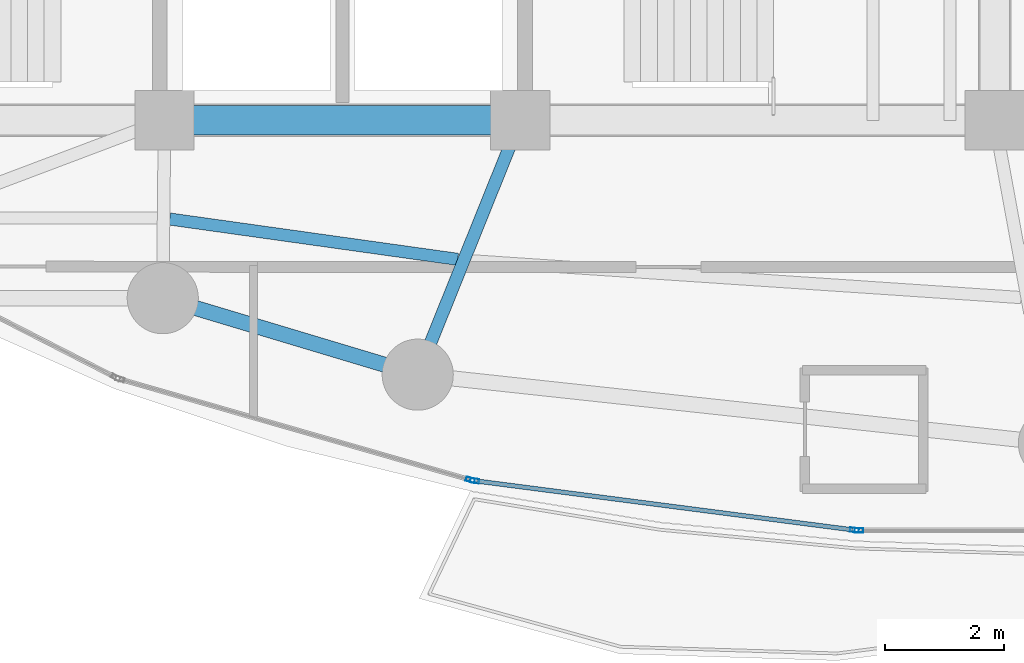
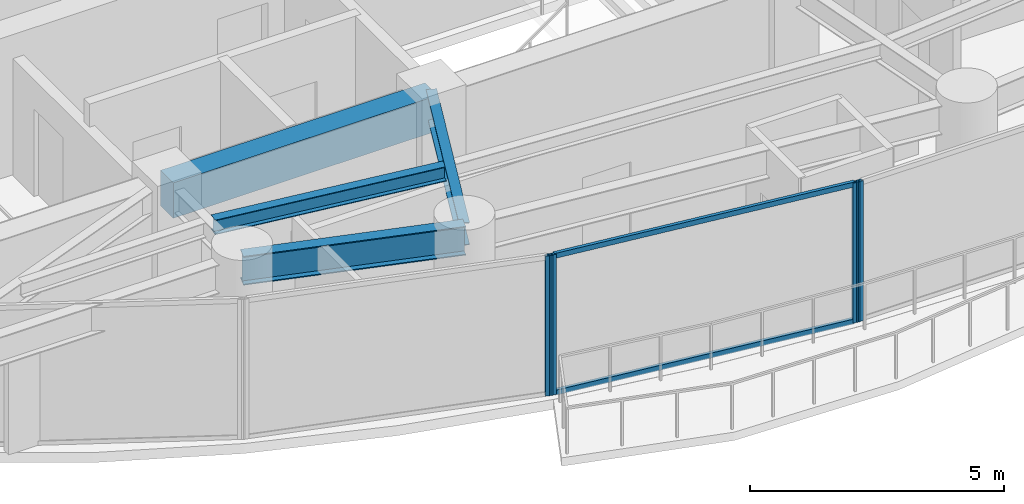
# One storey, part 5 of 28: 6 members, 4 beams, 3 elements without a shape of their own.
"""IFC4 building model written with IfcOpenShell, lengths in metres."""

from ifc_helpers import new_model, si_unit, direction, frame, origin, origin_2d, place, context, subcontext, project, spatial, rectangle, hollow_rectangle, i_section, extrude, material, layer, layer_set, material_profile, profile_set, type_object, element, aggregate, save


model = new_model("IFC4")

# Units and contexts
model_context = context("Model", 3, precision=1e-05, world=origin(), true_north=direction((0.0, 1.0)))
body_context = subcontext(model_context, "Body", "Model", "MODEL_VIEW")
ifc_project = project(units=[si_unit("LENGTHUNIT", "METRE"), si_unit("AREAUNIT", "SQUARE_METRE"), si_unit("VOLUMEUNIT", "CUBIC_METRE"), si_unit("PLANEANGLEUNIT", "RADIAN"), si_unit("MASSUNIT", "GRAM", prefix="KILO")], contexts=[model_context])

# Site, building, storey
site_placement = place(None, origin())
site = spatial("IfcSite", under=ifc_project, at=site_placement, CompositionType="ELEMENT")
building_placement = place(site_placement, origin())
building = spatial("IfcBuilding", under=site, at=building_placement, Name="Kazevale Care Tower and Concert Hall", CompositionType="ELEMENT")
storey_placement = place(building_placement, frame((0.0, 0.0, 102.60009765625)))
storey = spatial("IfcBuildingStorey", under=building, at=storey_placement, Name="L26", CompositionType="ELEMENT", Elevation=102.60009765625)

# Curtain wall, member
ifc_material_1 = material(Name="Aluminium 6063-T6 and Low-E Glass", Category="aluminium")
ifc_layer = layer(ifc_material_1, 0.179931640625)
ifc_layer_set = layer_set([ifc_layer], Name="Aluminium 6063-T6 and Low-E Glass")
curtain_wall_type = type_object("IfcCurtainWallType", Name="Sheltered Concave Balcony Curtain Wall CW-5", PredefinedType="NOTDEFINED", material=ifc_layer_set)
curtain_wall_1_placement = place(storey_placement, origin())
curtain_wall_1 = element("IfcCurtainWall", 1, at=curtain_wall_1_placement, inside=storey, type_object=curtain_wall_type, Name="cw:L26:f06", PredefinedType="NOTDEFINED")
ifc_material_2 = material(Name="Aluminium 6063-T6", Category="aluminium")
ifc_material_profile_1 = material_profile(ifc_material_2, hollow_rectangle(XDim=0.074951171875, YDim=0.14990234375, WallThickness=0.00390625, at=origin_2d()), Name="ALU75x150x4")
ifc_profile_set_1 = profile_set([ifc_material_profile_1], Name="Aluminium 6063-T6")
member_type_1 = type_object("IfcMemberType", Name="CW-5 Mullion ALU75x150x4", PredefinedType="MULLION", material=ifc_profile_set_1)
member_1_placement = place(storey_placement, frame((41.71240234375, 16.68408203125, 0.0), z_axis=(0.0, 0.0, 1.0), x_axis=(0.0, -1.0, 0.0)))
member_1 = element("IfcMember", 2, at=member_1_placement, type_object=member_type_1, Name="CW-5 mullion 2", PredefinedType="MULLION", context=body_context, shape_type="SweptSolid", body=[
    extrude(hollow_rectangle(XDim=0.074951171875, YDim=0.14990234375, WallThickness=0.00390625, at=origin_2d()), origin(), (0.0, 0.0, 1.0), 3.35986328125),
])
aggregate(curtain_wall_1, [member_1])

# Curtain wall, members
curtain_wall_2_placement = place(storey_placement, origin())
curtain_wall_2 = element("IfcCurtainWall", 3, at=curtain_wall_2_placement, inside=storey, type_object=curtain_wall_type, Name="cw:L26:f07", PredefinedType="NOTDEFINED")
member_2_placement = place(storey_placement, frame((41.6376953125, 16.688720703125, 0.0), z_axis=(0.0, 0.0, 1.0), x_axis=(-0.12868500567, -0.991685519364, 0.0)))
member_2 = element("IfcMember", 4, at=member_2_placement, type_object=member_type_1, Name="CW-5 mullion 1", PredefinedType="MULLION", context=body_context, shape_type="SweptSolid", body=[
    extrude(hollow_rectangle(XDim=0.074951171875, YDim=0.14990234375, WallThickness=0.00390625, at=origin_2d()), origin(), (0.0, 0.0, 1.0), 3.35986328125),
])
member_3_placement = place(storey_placement, frame((35.231201171875, 17.520263671875, 0.0), z_axis=(0.0, 0.0, 1.0), x_axis=(-0.12868500567, -0.991685519364, 0.0)))
member_3 = element("IfcMember", 5, at=member_3_placement, type_object=member_type_1, Name="CW-5 mullion 2", PredefinedType="MULLION", context=body_context, shape_type="SweptSolid", body=[
    extrude(hollow_rectangle(XDim=0.074951171875, YDim=0.14990234375, WallThickness=0.00390625, at=origin_2d()), origin(), (0.0, 0.0, 1.0), 3.35986328125),
])

# Curtain wall, member
curtain_wall_3_placement = place(storey_placement, origin())
curtain_wall_3 = element("IfcCurtainWall", 6, at=curtain_wall_3_placement, inside=storey, type_object=curtain_wall_type, Name="cw:L26:f08", PredefinedType="NOTDEFINED")
member_4_placement = place(storey_placement, frame((35.157958984375, 17.535400390625, 0.0), z_axis=(0.0, 0.0, 1.0), x_axis=(-0.276290733172, -0.961074102639, 0.0)))
member_4 = element("IfcMember", 7, at=member_4_placement, type_object=member_type_1, Name="CW-5 mullion 1", PredefinedType="MULLION", context=body_context, shape_type="SweptSolid", body=[
    extrude(hollow_rectangle(XDim=0.074951171875, YDim=0.14990234375, WallThickness=0.00390625, at=origin_2d()), origin(), (0.0, 0.0, 1.0), 3.35986328125),
])
aggregate(curtain_wall_3, [member_4])

# Member
ifc_material_profile_2 = material_profile(ifc_material_2, hollow_rectangle(XDim=0.074951171875, YDim=0.1201171875, WallThickness=0.00390625, at=origin_2d()), Name="ALU75x120x4")
ifc_profile_set_2 = profile_set([ifc_material_profile_2], Name="Aluminium 6063-T6")
member_type_2 = type_object("IfcMemberType", Name="CW-5 Transom ALU75x120x4", PredefinedType="USERDEFINED", material=ifc_profile_set_2)
member_5_placement = place(storey_placement, frame((41.6005859375, 16.693603515625, 0.037353515625), z_axis=(-0.991683991743, 0.12869677743, 0.0), x_axis=(-0.12869677743, -0.991683991743, 0.0)))
member_5 = element("IfcMember", 8, at=member_5_placement, type_object=member_type_2, Name="CW-5 transom 1.1", ObjectType="TRANSOM", PredefinedType="USERDEFINED", context=body_context, shape_type="SweptSolid", body=[
    extrude(hollow_rectangle(XDim=0.074951171875, YDim=0.1201171875, WallThickness=0.00390625, at=origin_2d()), origin(), (0.0, 0.0, 1.0), 6.385498046875),
])

member_6_placement = place(storey_placement, frame((41.6005859375, 16.693603515625, 3.322509765625), z_axis=(-0.991683991743, 0.12869677743, 0.0), x_axis=(-0.12869677743, -0.991683991743, 0.0)))
member_6 = element("IfcMember", 9, at=member_6_placement, type_object=member_type_2, Name="CW-5 transom 1.2", ObjectType="TRANSOM", PredefinedType="USERDEFINED", context=body_context, shape_type="SweptSolid", body=[
    extrude(hollow_rectangle(XDim=0.074951171875, YDim=0.1201171875, WallThickness=0.00390625, at=origin_2d()), origin(), (0.0, 0.0, 1.0), 6.385498046875),
])

aggregate(curtain_wall_2, [member_2, member_3, member_5, member_6])

# Beams
ifc_material_3 = material(Name="Concrete C60", Category="concrete")
ifc_material_profile_3 = material_profile(ifc_material_3, rectangle(XDim=0.5, YDim=0.85009765625, at=origin_2d()), Name="RC-B500x850")
ifc_profile_set_3 = profile_set([ifc_material_profile_3], Name="Concrete C60")
beam_type_1 = type_object("IfcBeamType", Name="Core Coupling Beam RC500x850", PredefinedType="LINTEL", material=ifc_profile_set_3)
beam_1_placement = place(storey_placement, frame((30.0, 23.60009765625, 2.934814453125), z_axis=(1.0, 0.0, 0.0), x_axis=(0.0, 1.0, 0.0)))
element("IfcBeam", 10, at=beam_1_placement, inside=storey, type_object=beam_type_1, Name="beam:L26:coretie:2", PredefinedType="LINTEL", context=body_context, shape_type="SweptSolid", body=[
    extrude(rectangle(XDim=0.5, YDim=0.85009765625, at=origin_2d()), origin(), (0.0, 0.0, 1.0), 6.0),
])
ifc_material_4 = material(Name="Steel ASTM A572 Gr 50", Category="steel")
ifc_material_profile_4 = material_profile(ifc_material_4, i_section(OverallWidth=0.2119140625, OverallDepth=0.5439453125, WebThickness=0.01318359375, FlangeThickness=0.021240234375, at=origin_2d()), Name="W530x123")
ifc_profile_set_4 = profile_set([ifc_material_profile_4], Name="Steel ASTM A572 Gr 50")
beam_type_2 = type_object("IfcBeamType", Name="Radial Floor Girder W530x123", PredefinedType="BEAM", material=ifc_profile_set_4)
beam_2_placement = place(storey_placement, frame((36.0, 23.60009765625, 3.087890625), z_axis=(-0.373991766452, -0.927432023722, 0.0), x_axis=(0.927432023722, -0.373991766452, 0.0)))
element("IfcBeam", 11, at=beam_2_placement, inside=storey, type_object=beam_type_2, Name="beam:L26:rad:12", PredefinedType="BEAM", context=body_context, shape_type="SweptSolid", body=[
    extrude(i_section(OverallWidth=0.2119140625, OverallDepth=0.5439453125, WebThickness=0.01318359375, FlangeThickness=0.021240234375, at=origin_2d()), origin(), (0.0, 0.0, 1.0), 4.625732421875),
])
ifc_material_profile_5 = material_profile(ifc_material_4, i_section(OverallWidth=0.205078125, OverallDepth=0.35400390625, WebThickness=0.009521484375, FlangeThickness=0.016845703125, at=origin_2d()), Name="W360x79")
ifc_profile_set_5 = profile_set([ifc_material_profile_5], Name="Steel ASTM A572 Gr 50")
beam_type_3 = type_object("IfcBeamType", Name="Secondary Floor Joist W360x79", PredefinedType="JOIST", material=ifc_profile_set_5)
beam_3_placement = place(storey_placement, frame((30.0869140625, 21.93505859375, 3.182861328125), z_axis=(0.990340789942, -0.138654678164, 0.0), x_axis=(0.138654678164, 0.990340789942, 0.0)))
element("IfcBeam", 12, at=beam_3_placement, inside=storey, type_object=beam_type_3, Name="beam:L26:joist:11", PredefinedType="JOIST", context=body_context, shape_type="SweptSolid", body=[
    extrude(i_section(OverallWidth=0.205078125, OverallDepth=0.35400390625, WebThickness=0.009521484375, FlangeThickness=0.016845703125, at=origin_2d()), origin(), (0.0, 0.0, 1.0), 4.905517578125),
])
ifc_material_profile_6 = material_profile(ifc_material_4, i_section(OverallWidth=0.256103515625, OverallDepth=0.693115234375, WebThickness=0.014404296875, FlangeThickness=0.023681640625, at=origin_2d()), Name="W690x170")
ifc_profile_set_6 = profile_set([ifc_material_profile_6], Name="Steel ASTM A572 Gr 50")
beam_type_4 = type_object("IfcBeamType", Name="Waist Ring Beam W690x170", PredefinedType="BEAM", material=ifc_profile_set_6)
beam_4_placement = place(storey_placement, frame((29.969970703125, 20.60009765625, 3.013427734375), z_axis=(0.957824788464, -0.287352874709, 0.0), x_axis=(0.287352874709, 0.957824788464, 0.0)))
element("IfcBeam", 13, at=beam_4_placement, inside=storey, type_object=beam_type_4, Name="beam:L26:ring:11", PredefinedType="BEAM", context=body_context, shape_type="SweptSolid", body=[
    extrude(i_section(OverallWidth=0.256103515625, OverallDepth=0.693115234375, WebThickness=0.014404296875, FlangeThickness=0.023681640625, at=origin_2d()), origin(), (0.0, 0.0, 1.0), 4.489501953125),
])

save(model, "model.ifc")
